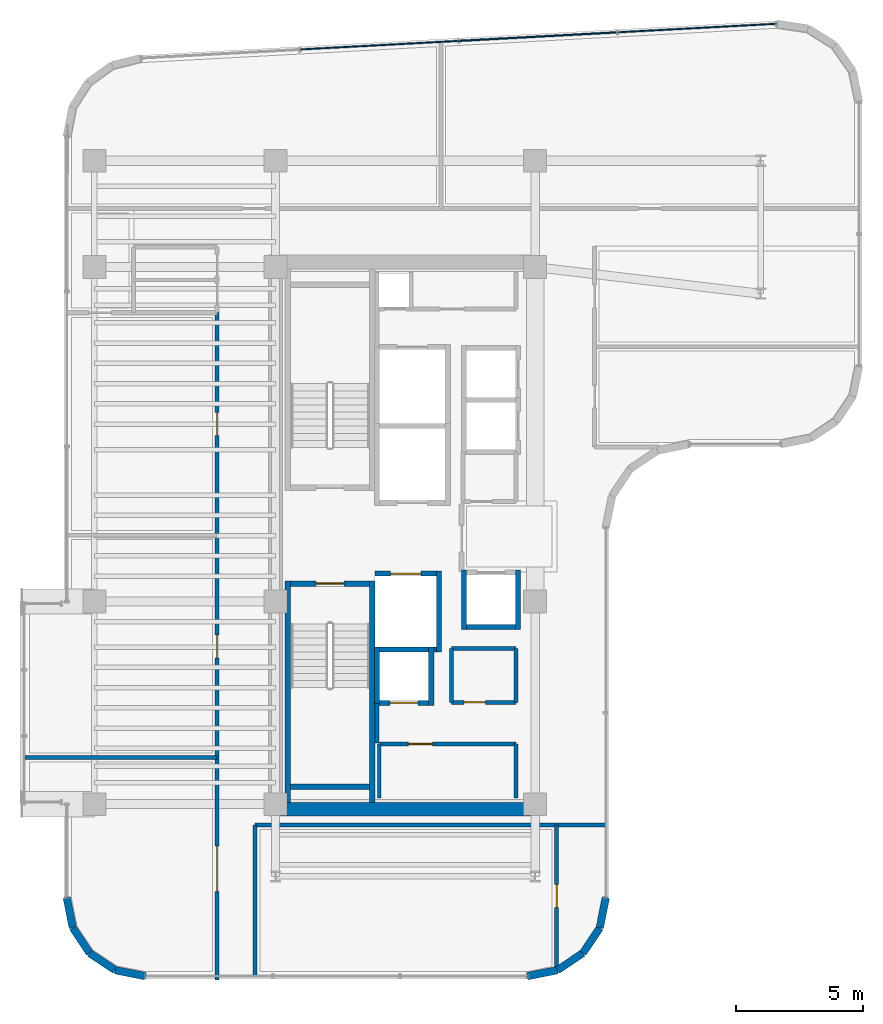
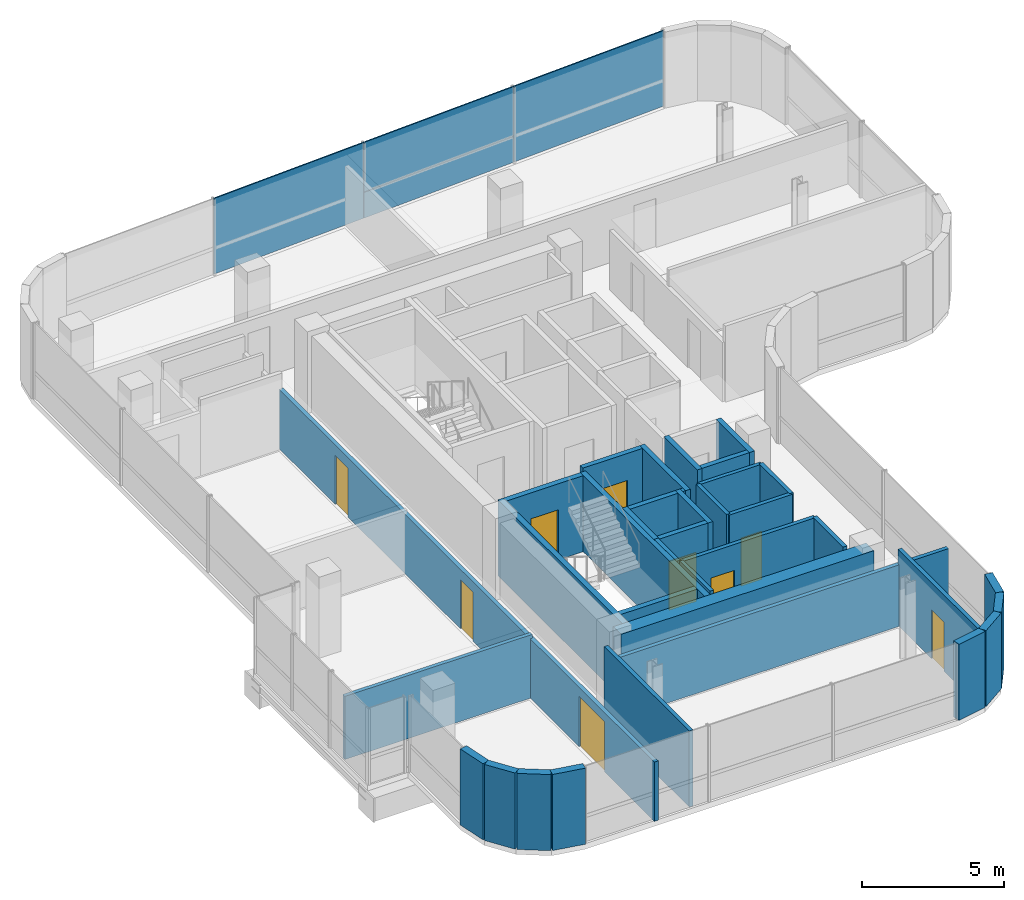
# One storey, part 18 of 22: 35 walls, 9 doors, 4 plates, 9 openings, 1 element without a shape of its own.
"""IFC4 building model written with IfcOpenShell, lengths in metres."""

from ifc_helpers import new_model, si_unit, direction, frame, frame_2d, origin, origin_2d, place, context, subcontext, project, spatial, rectangle, extrude, source, transform, mapped, material, layer, layer_set, type_object, element, fill, aggregate, save


model = new_model("IFC4")

# Units and contexts
model_context = context("Model", 3, precision=1e-05, world=origin(), true_north=direction((0.0, 1.0)))
body_context = subcontext(model_context, "Body", "Model", "MODEL_VIEW")
ifc_project = project(units=[si_unit("LENGTHUNIT", "METRE"), si_unit("AREAUNIT", "SQUARE_METRE"), si_unit("VOLUMEUNIT", "CUBIC_METRE"), si_unit("PLANEANGLEUNIT", "RADIAN"), si_unit("MASSUNIT", "GRAM", prefix="KILO")], contexts=[model_context])

# Site, building, storey
site_placement = place(None, origin())
site = spatial("IfcSite", under=ifc_project, at=site_placement, CompositionType="ELEMENT")
building_placement = place(site_placement, origin())
building = spatial("IfcBuilding", under=site, at=building_placement, Name="Valdorenza Pilgrim Sanctuary Tower", CompositionType="ELEMENT")
storey_placement = place(building_placement, frame((0.0, 0.0, 233.5)))
storey = spatial("IfcBuildingStorey", under=building, at=storey_placement, Name="L60", CompositionType="ELEMENT", Elevation=233.5)

# Curtain wall, plates
ifc_material_1 = material(Name="Curtain-wall IGU glazing", Category="glass")
curtain_wall_type = type_object("IfcCurtainWallType", Name="CW-SYS-02", PredefinedType="NOTDEFINED", material=ifc_material_1)
curtain_wall_placement = place(storey_placement, origin())
curtain_wall = element("IfcCurtainWall", 1, at=curtain_wall_placement, inside=storey, type_object=curtain_wall_type, Name="L60 Curtain Wall CW-L60-1-6", PredefinedType="NOTDEFINED")
ifc_material_2 = material(Name="Honed travertine limestone", Category="masonry")
ifc_layer_1 = layer(ifc_material_2, 0.050048828125, Name="Honed travertine limestone")
ifc_layer_set_1 = layer_set([ifc_layer_1], Name="Honed travertine limestone")
plate_type_1 = type_object("IfcPlateType", Name="CW-SPN-TRV", PredefinedType="USERDEFINED", material=ifc_layer_set_1)
shared_shape_1 = source(origin(), body_context, "Body", "SweptSolid", [
    extrude(rectangle(XDim=6.2587890625, YDim=0.06005859375, at=origin_2d()), origin(), (0.0, 0.0, 1.0), 1.10009765625),
])
plate_1_placement = place(storey_placement, frame((-12.281982421875, 19.699951171875, 0.010009765625), z_axis=(0.0, 0.0, 1.0), x_axis=(0.998547034311, 0.053887106711, 0.0)))
plate_1 = element("IfcPlate", 2, at=plate_1_placement, type_object=plate_type_1, Name="CW-L60-1-6 Travertine Spandrel 3", ObjectType="SPANDREL", PredefinedType="USERDEFINED", context=body_context, shape_type="MappedRepresentation", body=[
    mapped(shared_shape_1, transform((0.0, 0.0, 0.0), x_axis=(1.0, 0.0, 0.0), y_axis=(0.0, 1.0, 0.0), z_axis=(0.0, 0.0, 1.0), scale=1.0)),
])
ifc_material_3 = material(Name="Ceramic-fritted low-E IGU glazing", Category="glass")
ifc_layer_2 = layer(ifc_material_3, 0.035888671875, Name="Ceramic-fritted low-E IGU glazing")
ifc_layer_set_2 = layer_set([ifc_layer_2], Name="Ceramic-fritted low-E IGU glazing")
plate_type_2 = type_object("IfcPlateType", Name="CW-GLZ-IGU", PredefinedType="USERDEFINED", material=ifc_layer_set_2)
shared_shape_2 = source(origin(), body_context, "Body", "SweptSolid", [
    extrude(rectangle(XDim=6.2587890625, YDim=0.050048828125, at=origin_2d()), origin(), (0.0, 0.0, 1.0), 2.1201171875),
])
plate_2_placement = place(storey_placement, frame((-12.281982421875, 19.699951171875, 1.1298828125), z_axis=(0.0, 0.0, 1.0), x_axis=(0.998547034311, 0.053887106711, 0.0)))
plate_2 = element("IfcPlate", 3, at=plate_2_placement, type_object=plate_type_2, Name="CW-L60-1-6 Facade Panel 3", ObjectType="GLAZING", PredefinedType="USERDEFINED", context=body_context, shape_type="MappedRepresentation", body=[
    mapped(shared_shape_2, transform((0.0, 0.0, 0.0), x_axis=(1.0, 0.0, 0.0), y_axis=(0.0, 1.0, 0.0), z_axis=(0.0, 0.0, 1.0), scale=1.0)),
])
shared_shape_3 = source(origin(), body_context, "Body", "SweptSolid", [
    extrude(rectangle(XDim=6.2587890625, YDim=0.050048828125, at=origin_2d()), origin(), (0.0, 0.0, 1.0), 3.239990234375),
])
plate_3_placement = place(storey_placement, frame((-18.551513671875, 19.36181640625, 0.009765625), z_axis=(0.0, 0.0, 1.0), x_axis=(0.998547034311, 0.053887106711, 0.0)))
plate_3 = element("IfcPlate", 4, at=plate_3_placement, type_object=plate_type_2, Name="CW-L60-1-6 Full-Height Facade Panel 2", ObjectType="GLAZING", PredefinedType="USERDEFINED", context=body_context, shape_type="MappedRepresentation", body=[
    mapped(shared_shape_3, transform((0.0, 0.0, 0.0), x_axis=(1.0, 0.0, 0.0), y_axis=(0.0, 1.0, 0.0), z_axis=(0.0, 0.0, 1.0), scale=1.0)),
])
plate_4_placement = place(storey_placement, frame((-6.012451171875, 20.038330078125, 0.009765625), z_axis=(0.0, 0.0, 1.0), x_axis=(0.998547034311, 0.053887106711, 0.0)))
plate_4 = element("IfcPlate", 5, at=plate_4_placement, type_object=plate_type_2, Name="CW-L60-1-6 Full-Height Facade Panel 4", ObjectType="GLAZING", PredefinedType="USERDEFINED", context=body_context, shape_type="MappedRepresentation", body=[
    mapped(shared_shape_3, transform((0.0, 0.0, 0.0), x_axis=(1.0, 0.0, 0.0), y_axis=(0.0, 1.0, 0.0), z_axis=(0.0, 0.0, 1.0), scale=1.0)),
])
aggregate(curtain_wall, [plate_3, plate_1, plate_2, plate_4])

# Wall
ifc_material_4 = material(Name="Acoustic twin-stud gypsum partition", Category="gypsum")
ifc_layer_3 = layer(ifc_material_4, 0.159912109375, Name="Acoustic twin-stud gypsum partition")
ifc_layer_set_3 = layer_set([ifc_layer_3], Name="Acoustic twin-stud gypsum partition")
wall_type_1 = type_object("IfcWallType", Name="WAL-COR-160", PredefinedType="PARTITIONING", material=ifc_layer_set_3)
wall_1_placement = place(storey_placement, frame((-18.64990234375, -8.179931640625, 0.0), z_axis=(0.0, 0.0, 1.0), x_axis=(0.0, 1.0, 0.0)))
element("IfcWall", 6, at=wall_1_placement, inside=storey, type_object=wall_type_1, Name="L60 Core A South Lift Hall West Wall", PredefinedType="PARTITIONING", context=body_context, shape_type="SweptSolid", body=[
    extrude(rectangle(XDim=1.559814453125, YDim=0.159912109375, at=frame_2d((0.77978515625, 0.0))), origin(), (0.0, 0.0, 1.0), 3.260009765625),
])

# Wall, opening, door
wall_2_placement = place(storey_placement, frame((-18.550048828125, -8.219970703125, 0.0), z_axis=(0.0, 0.0, 1.0), x_axis=(1.0, 0.0, 0.0)))
wall_2 = element("IfcWall", 7, at=wall_2_placement, inside=storey, type_object=wall_type_1, Name="L60 Freed Shaft 1 North Wall", PredefinedType="PARTITIONING", context=body_context, shape_type="SweptSolid", body=[
    extrude(rectangle(XDim=5.400146484375, YDim=0.159912109375, at=frame_2d((2.7001953125, 0.0))), origin(), (0.0, 0.0, 1.0), 3.260009765625),
])
opening_1_placement = place(wall_2_placement, frame((1.14990234375, 0.0, 0.0)))
opening_1 = element("IfcOpeningElement", 8, at=opening_1_placement, cuts=wall_2, Name="Opening DR-UN1", PredefinedType="OPENING", context=body_context, shape_type="SweptSolid", body=[
    extrude(rectangle(XDim=0.949951171875, YDim=2.14990234375, at=frame_2d((0.47509765625, 1.074951171875))), frame((0.0, 0.0947265625, 0.0), z_axis=(0.0, -1.0, 0.0), x_axis=(1.0, 0.0, 0.0)), (0.0, 0.0, 1.0), 0.189697265625),
])
ifc_material_5 = material(Name="Solid-core European oak timber", Category="wood")
door_type_1 = type_object("IfcDoorType", Name="DR-UNIT-950", OperationType="NOTDEFINED", PredefinedType="DOOR", material=ifc_material_5)
door_1_placement = place(opening_1_placement, origin())
door_1 = element("IfcDoor", 9, at=door_1_placement, inside=storey, type_object=door_type_1, Name="L60 Back-of-House Linen Store Door", OperationType="SINGLE_SWING_LEFT", OverallHeight=2.14990234375, OverallWidth=0.949951171875, PredefinedType="DOOR", context=body_context, shape_type="SweptSolid", body=[
    extrude(rectangle(XDim=0.949951171875, YDim=2.14990234375, at=frame_2d((0.47509765625, 1.074951171875))), frame((0.0, 0.02490234375, 0.0), z_axis=(0.0, -1.0, 0.0), x_axis=(1.0, 0.0, 0.0)), (0.0, 0.0, 1.0), 0.050048828125),
])
fill(opening_1, door_1)

# Wall
wall_3_placement = place(storey_placement, frame((-13.14990234375, -10.35009765625, 0.0), z_axis=(0.0, 0.0, 1.0), x_axis=(0.0, 1.0, 0.0)))
element("IfcWall", 10, at=wall_3_placement, inside=storey, type_object=wall_type_1, Name="L60 Freed Shaft 1 East Wall", PredefinedType="PARTITIONING", context=body_context, shape_type="SweptSolid", body=[
    extrude(rectangle(XDim=2.130126953125, YDim=0.159912109375, at=frame_2d((1.06494140625, 0.0))), origin(), (0.0, 0.0, 1.0), 3.260009765625),
])

# Wall, opening, door
wall_4_placement = place(storey_placement, frame((-15.699951171875, -6.580078125, 0.0), z_axis=(0.0, 0.0, 1.0), x_axis=(1.0, 0.0, 0.0)))
wall_4 = element("IfcWall", 11, at=wall_4_placement, inside=storey, type_object=wall_type_1, Name="L60 Freed Shaft 2 South Wall", PredefinedType="PARTITIONING", context=body_context, shape_type="SweptSolid", body=[
    extrude(rectangle(XDim=2.550048828125, YDim=0.159912109375, at=frame_2d((1.27490234375, 0.0))), origin(), (0.0, 0.0, 1.0), 3.260009765625),
])
opening_2_placement = place(wall_4_placement, frame((0.5, 0.0, 0.0)))
opening_2 = element("IfcOpeningElement", 12, at=opening_2_placement, cuts=wall_4, Name="Opening DR-RS1", PredefinedType="OPENING", context=body_context, shape_type="SweptSolid", body=[
    extrude(rectangle(XDim=0.85009765625, YDim=2.050048828125, at=frame_2d((0.425048828125, 1.02490234375))), frame((0.0, 0.0947265625, 0.0), z_axis=(0.0, -1.0, 0.0), x_axis=(1.0, 0.0, 0.0)), (0.0, 0.0, 1.0), 0.189697265625),
])
ifc_material_6 = material(Name="Painted galvanized steel", Category="steel")
door_type_2 = type_object("IfcDoorType", Name="DR-RSR-850", OperationType="NOTDEFINED", PredefinedType="DOOR", material=ifc_material_6)
door_2_placement = place(opening_2_placement, origin())
door_2 = element("IfcDoor", 13, at=door_2_placement, inside=storey, type_object=door_type_2, Name="L60 Guest Tea Pantry Door", OperationType="SINGLE_SWING_RIGHT", OverallHeight=2.050048828125, OverallWidth=0.85009765625, PredefinedType="DOOR", context=body_context, shape_type="SweptSolid", body=[
    extrude(rectangle(XDim=0.85009765625, YDim=2.050048828125, at=frame_2d((0.425048828125, 1.02490234375))), frame((0.0, 0.02490234375, 0.0), z_axis=(0.0, -1.0, 0.0), x_axis=(1.0, 0.0, 0.0)), (0.0, 0.0, 1.0), 0.050048828125),
])
fill(opening_2, door_2)

# Walls
wall_5_placement = place(storey_placement, frame((-13.14990234375, -6.580078125, 0.0), z_axis=(0.0, 0.0, 1.0), x_axis=(0.0, 1.0, 0.0)))
element("IfcWall", 14, at=wall_5_placement, inside=storey, type_object=wall_type_1, Name="L60 Freed Shaft 2 East Wall", PredefinedType="PARTITIONING", context=body_context, shape_type="SweptSolid", body=[
    extrude(rectangle(XDim=2.130126953125, YDim=0.159912109375, at=frame_2d((1.06494140625, 0.0))), origin(), (0.0, 0.0, 1.0), 3.260009765625),
])
wall_6_placement = place(storey_placement, frame((-23.449951171875, -11.419921875, 0.0), z_axis=(0.0, 0.0, 1.0), x_axis=(1.0, 0.0, 0.0)))
element("IfcWall", 15, at=wall_6_placement, inside=storey, type_object=wall_type_1, Name="L60 South-East Pocket North Wall", PredefinedType="PARTITIONING", context=body_context, shape_type="SweptSolid", body=[
    extrude(rectangle(XDim=13.83984375, YDim=0.159912109375, at=frame_2d((6.919921875, 0.0))), origin(), (0.0, 0.0, 1.0), 2.634033203125),
])
wall_7_placement = place(storey_placement, frame((-23.449951171875, -17.389892578125, 0.0), z_axis=(0.0, 0.0, 1.0), x_axis=(0.0, 1.0, 0.0)))
element("IfcWall", 16, at=wall_7_placement, inside=storey, type_object=wall_type_1, Name="L60 South-East Pocket West Wall", PredefinedType="PARTITIONING", context=body_context, shape_type="SweptSolid", body=[
    extrude(rectangle(XDim=5.969970703125, YDim=0.159912109375, at=frame_2d((2.98486328125, 0.0))), origin(), (0.0, 0.0, 1.0), 3.260009765625),
])

# Wall, openings, doors
wall_8_placement = place(storey_placement, frame((-24.949951171875, -17.5400390625, 0.0), z_axis=(0.0, 0.0, 1.0), x_axis=(0.0, 1.0, 0.0)))
wall_8 = element("IfcWall", 17, at=wall_8_placement, inside=storey, type_object=wall_type_1, Name="L60 West Wing Corridor Wall", PredefinedType="PARTITIONING", context=body_context, shape_type="SweptSolid", body=[
    extrude(rectangle(XDim=26.340087890625, YDim=0.159912109375, at=frame_2d((13.169921875, 0.0))), origin(), (0.0, 0.0, 1.0), 2.5439453125),
])
opening_3_placement = place(wall_8_placement, frame((3.489990234375, 0.0, 0.0)))
opening_3 = element("IfcOpeningElement", 18, at=opening_3_placement, cuts=wall_8, Name="Opening DR-HL1", PredefinedType="OPENING", context=body_context, shape_type="SweptSolid", body=[
    extrude(rectangle(XDim=1.800048828125, YDim=2.14990234375, at=frame_2d((0.89990234375, 1.074951171875))), frame((0.0, 0.0947265625, 0.0), z_axis=(0.0, -1.0, 0.0), x_axis=(1.0, 0.0, 0.0)), (0.0, 0.0, 1.0), 0.189697265625),
])
opening_4_placement = place(wall_8_placement, frame((12.719970703125, 0.0, 0.0)))
opening_4 = element("IfcOpeningElement", 19, at=opening_4_placement, cuts=wall_8, Name="Opening DR-RM1", PredefinedType="OPENING", context=body_context, shape_type="SweptSolid", body=[
    extrude(rectangle(XDim=0.89990234375, YDim=2.10009765625, at=frame_2d((0.449951171875, 1.050048828125))), frame((0.0, 0.0947265625, 0.0), z_axis=(0.0, -1.0, 0.0), x_axis=(1.0, 0.0, 0.0)), (0.0, 0.0, 1.0), 0.189697265625),
])
opening_5_placement = place(wall_8_placement, frame((21.5, 0.0, 0.0)))
opening_5 = element("IfcOpeningElement", 20, at=opening_5_placement, cuts=wall_8, Name="Opening DR-RM1", PredefinedType="OPENING", context=body_context, shape_type="SweptSolid", body=[
    extrude(rectangle(XDim=0.89990234375, YDim=2.10009765625, at=frame_2d((0.449951171875, 1.050048828125))), frame((0.0, 0.0947265625, 0.0), z_axis=(0.0, -1.0, 0.0), x_axis=(1.0, 0.0, 0.0)), (0.0, 0.0, 1.0), 0.189697265625),
])
ifc_material_7 = material(Name="Acoustic oak and vision-glass double door", Category="glass")
door_type_3 = type_object("IfcDoorType", Name="DR-HALL-1800", OperationType="NOTDEFINED", PredefinedType="DOOR", material=ifc_material_7)
door_3_placement = place(opening_3_placement, frame((1.800048828125, 0.0, 0.0), z_axis=(0.0, 0.0, 1.0), x_axis=(-1.0, 0.0, 0.0)))
door_3 = element("IfcDoor", 21, at=door_3_placement, inside=storey, type_object=door_type_3, Name="L60 Main Pilgrim Dining Restaurant L60 Door", OperationType="DOUBLE_DOOR_SINGLE_SWING", OverallHeight=2.14990234375, OverallWidth=1.800048828125, PredefinedType="DOOR", context=body_context, shape_type="SweptSolid", body=[
    extrude(rectangle(XDim=1.800048828125, YDim=2.14990234375, at=frame_2d((0.89990234375, 1.074951171875))), frame((0.0, 0.02490234375, 0.0), z_axis=(0.0, -1.0, 0.0), x_axis=(1.0, 0.0, 0.0)), (0.0, 0.0, 1.0), 0.050048828125),
])
fill(opening_3, door_3)
door_type_4 = type_object("IfcDoorType", Name="DR-ROOM-900", OperationType="NOTDEFINED", PredefinedType="DOOR", material=ifc_material_5)
door_4_placement = place(opening_4_placement, origin())
door_4 = element("IfcDoor", 22, at=door_4_placement, inside=storey, type_object=door_type_4, Name="L60 Commercial Refectory Kitchen L60 Door", OperationType="SINGLE_SWING_RIGHT", OverallHeight=2.10009765625, OverallWidth=0.89990234375, PredefinedType="DOOR", context=body_context, shape_type="SweptSolid", body=[
    extrude(rectangle(XDim=0.89990234375, YDim=2.10009765625, at=frame_2d((0.449951171875, 1.050048828125))), frame((0.0, 0.02490234375, 0.0), z_axis=(0.0, -1.0, 0.0), x_axis=(1.0, 0.0, 0.0)), (0.0, 0.0, 1.0), 0.050048828125),
])
fill(opening_4, door_4)
door_5_placement = place(opening_5_placement, frame((0.89990234375, 0.0, 0.0), z_axis=(0.0, 0.0, 1.0), x_axis=(-1.0, 0.0, 0.0)))
door_5 = element("IfcDoor", 23, at=door_5_placement, inside=storey, type_object=door_type_4, Name="L60 Private Banquet Dining Room L60 Door", OperationType="SINGLE_SWING_LEFT", OverallHeight=2.10009765625, OverallWidth=0.89990234375, PredefinedType="DOOR", context=body_context, shape_type="SweptSolid", body=[
    extrude(rectangle(XDim=0.89990234375, YDim=2.10009765625, at=frame_2d((0.449951171875, 1.050048828125))), frame((0.0, 0.02490234375, 0.0), z_axis=(0.0, -1.0, 0.0), x_axis=(1.0, 0.0, 0.0)), (0.0, 0.0, 1.0), 0.050048828125),
])
fill(opening_5, door_5)

# Wall, opening, door
wall_9_placement = place(storey_placement, frame((-11.550048828125, -17.023681640625, 0.0), z_axis=(0.0, 0.0, 1.0), x_axis=(0.0, 1.0, 0.0)))
wall_9 = element("IfcWall", 24, at=wall_9_placement, inside=storey, type_object=wall_type_1, Name="L60 South-East Concourse Wall", PredefinedType="PARTITIONING", context=body_context, shape_type="SweptSolid", body=[
    extrude(rectangle(XDim=5.603759765625, YDim=0.159912109375, at=frame_2d((2.8017578125, 0.0))), origin(), (0.0, 0.0, 1.0), 3.260009765625),
])
opening_6_placement = place(wall_9_placement, frame((2.35205078125, 0.0, 0.0)))
opening_6 = element("IfcOpeningElement", 25, at=opening_6_placement, cuts=wall_9, Name="Opening DR-RM1", PredefinedType="OPENING", context=body_context, shape_type="SweptSolid", body=[
    extrude(rectangle(XDim=0.89990234375, YDim=2.10009765625, at=frame_2d((0.449951171875, 1.050048828125))), frame((0.0, 0.0947265625, 0.0), z_axis=(0.0, -1.0, 0.0), x_axis=(1.0, 0.0, 0.0)), (0.0, 0.0, 1.0), 0.189697265625),
])
door_6_placement = place(opening_6_placement, origin())
door_6 = element("IfcDoor", 26, at=door_6_placement, inside=storey, type_object=door_type_4, Name="L60 South Contemplation Lounge L60 Door", OperationType="SINGLE_SWING_RIGHT", OverallHeight=2.10009765625, OverallWidth=0.89990234375, PredefinedType="DOOR", context=body_context, shape_type="SweptSolid", body=[
    extrude(rectangle(XDim=0.89990234375, YDim=2.10009765625, at=frame_2d((0.449951171875, 1.050048828125))), frame((0.0, 0.02490234375, 0.0), z_axis=(0.0, -1.0, 0.0), x_axis=(1.0, 0.0, 0.0)), (0.0, 0.0, 1.0), 0.050048828125),
])
fill(opening_6, door_6)

# Walls
ifc_material_8 = material(Name="Concrete C50/60", Category="concrete")
ifc_layer_4 = layer(ifc_material_8, 0.550048828125, Name="Concrete C50/60")
ifc_layer_set_4 = layer_set([ifc_layer_4], Name="Concrete C50/60")
wall_type_2 = type_object("IfcWallType", Name="WAL-COR-550", PredefinedType="SHEAR", material=ifc_layer_set_4)
wall_10_placement = place(storey_placement, frame((-22.64990234375, -10.800048828125, 0.0), z_axis=(0.0, 0.0, 1.0), x_axis=(1.0, 0.0, 0.0)))
element("IfcWall", 27, at=wall_10_placement, inside=storey, type_object=wall_type_2, Name="L60 Split Core A Shear Wall S", PredefinedType="SHEAR", context=body_context, shape_type="SweptSolid", body=[
    extrude(rectangle(XDim=10.25, YDim=0.550048828125, at=frame_2d((5.125, 0.0))), origin(), (0.0, 0.0, 1.0), 3.260009765625),
])
ifc_layer_5 = layer(ifc_material_2, 0.300048828125, Name="Honed travertine limestone")
ifc_layer_set_5 = layer_set([ifc_layer_5], Name="Honed travertine limestone")
wall_type_3 = type_object("IfcWallType", Name="WAL-EXT-300", PredefinedType="SOLIDWALL", material=ifc_layer_set_5)
wall_11_placement = place(storey_placement, frame((-9.610107421875, -14.289306640625, 0.0), z_axis=(0.0, 0.0, 1.0), x_axis=(-0.194996050505, -0.980804027463, 0.0)))
element("IfcWall", 28, at=wall_11_placement, inside=storey, type_object=wall_type_3, Name="L60 Rounded Wind-Corner Stone Pier 22", PredefinedType="SOLIDWALL", context=body_context, shape_type="SweptSolid", body=[
    extrude(rectangle(XDim=1.2158203125, YDim=0.300048828125, at=frame_2d((0.60791015625, 0.0))), origin(), (0.0, 0.0, 1.0), 3.260009765625),
])
for number, where, z_axis, x_axis, name in (
    (29, (-9.84716796875, -15.481689453125, 0.0), (0.0, 0.0, 1.0), (-0.555635100982, -0.831426265255, 0.0), "L60 Rounded Wind-Corner Stone Pier 23"),
    (30, (-10.5166015625, -16.4833984375, 0.0), (0.0, 0.0, 1.0), (-0.831426265255, -0.555635100982, 0.0), "L60 Rounded Wind-Corner Stone Pier 24"),
):
    element("IfcWall", number, at=place(storey_placement, frame(where, z_axis=z_axis, x_axis=x_axis)), inside=storey, type_object=wall_type_3, Name=name, PredefinedType="SOLIDWALL", context=body_context, shape_type="SweptSolid", body=[
        extrude(rectangle(XDim=1.204833984375, YDim=0.300048828125, at=frame_2d((0.6025390625, 0.0))), origin(), (0.0, 0.0, 1.0), 3.260009765625),
    ])
for number, where, z_axis, x_axis, name in (
    (31, (-11.518310546875, -17.15283203125, 0.0), (0.0, 0.0, 1.0), (-0.980804027463, -0.194996050505, 0.0), "L60 Rounded Wind-Corner Stone Pier 25"),
    (32, (-27.789306640625, -17.389892578125, 0.0), (0.0, 0.0, 1.0), (-0.980804027463, 0.194996050505, 0.0), "L60 Rounded Wind-Corner Stone Pier 27"),
):
    element("IfcWall", number, at=place(storey_placement, frame(where, z_axis=z_axis, x_axis=x_axis)), inside=storey, type_object=wall_type_3, Name=name, PredefinedType="SOLIDWALL", context=body_context, shape_type="SweptSolid", body=[
        extrude(rectangle(XDim=1.2158203125, YDim=0.300048828125, at=frame_2d((0.60791015625, 0.0))), origin(), (0.0, 0.0, 1.0), 3.260009765625),
    ])
for number, where, z_axis, x_axis, name in (
    (33, (-28.981689453125, -17.15283203125, 0.0), (0.0, 0.0, 1.0), (-0.831426265255, 0.555635100982, 0.0), "L60 Rounded Wind-Corner Stone Pier 28"),
    (34, (-29.9833984375, -16.4833984375, 0.0), (0.0, 0.0, 1.0), (-0.555635100982, 0.831426265255, 0.0), "L60 Rounded Wind-Corner Stone Pier 29"),
):
    element("IfcWall", number, at=place(storey_placement, frame(where, z_axis=z_axis, x_axis=x_axis)), inside=storey, type_object=wall_type_3, Name=name, PredefinedType="SOLIDWALL", context=body_context, shape_type="SweptSolid", body=[
        extrude(rectangle(XDim=1.204833984375, YDim=0.300048828125, at=frame_2d((0.6025390625, 0.0))), origin(), (0.0, 0.0, 1.0), 3.260009765625),
    ])
wall_12_placement = place(storey_placement, frame((-30.65283203125, -15.481689453125, 0.0), z_axis=(0.0, 0.0, 1.0), x_axis=(-0.194996050505, 0.980804027463, 0.0)))
element("IfcWall", 35, at=wall_12_placement, inside=storey, type_object=wall_type_3, Name="L60 Rounded Wind-Corner Stone Pier 30", PredefinedType="SOLIDWALL", context=body_context, shape_type="SweptSolid", body=[
    extrude(rectangle(XDim=1.2158203125, YDim=0.300048828125, at=frame_2d((0.60791015625, 0.0))), origin(), (0.0, 0.0, 1.0), 3.260009765625),
])
ifc_material_9 = material(Name="Autoclaved aerated concrete blockwork", Category="masonry")
ifc_layer_6 = layer(ifc_material_9, 0.199951171875, Name="Autoclaved aerated concrete blockwork")
ifc_layer_set_6 = layer_set([ifc_layer_6], Name="Autoclaved aerated concrete blockwork")
wall_type_4 = type_object("IfcWallType", Name="WAL-SHF-200", PredefinedType="MOVABLE", material=ifc_layer_set_6)
wall_13_placement = place(storey_placement, frame((-16.199951171875, -4.60009765625, 0.0), z_axis=(0.0, 0.0, 1.0), x_axis=(0.0, 1.0, 0.0)))
element("IfcWall", 36, at=wall_13_placement, inside=storey, type_object=wall_type_4, Name="L60 Lift FFL-02 Hoistway Wall East", PredefinedType="MOVABLE", context=body_context, shape_type="SweptSolid", body=[
    extrude(rectangle(XDim=3.2001953125, YDim=0.199951171875, at=frame_2d((1.60009765625, 0.0))), origin(), (0.0, 0.0, 1.0), 3.260009765625),
])
wall_14_placement = place(storey_placement, frame((-18.719970703125, -4.5, 0.0), z_axis=(0.0, 0.0, 1.0), x_axis=(1.0, 0.0, 0.0)))
element("IfcWall", 37, at=wall_14_placement, inside=storey, type_object=wall_type_4, Name="L60 Lift FFL-02 Hoistway Wall South", PredefinedType="MOVABLE", context=body_context, shape_type="SweptSolid", body=[
    extrude(rectangle(XDim=2.419921875, YDim=0.199951171875, at=frame_2d((1.2099609375, 0.0))), origin(), (0.0, 0.0, 1.0), 3.260009765625),
])

# Wall, opening, door
wall_15_placement = place(storey_placement, frame((-18.719970703125, -1.5, 0.0), z_axis=(0.0, 0.0, 1.0), x_axis=(1.0, 0.0, 0.0)))
wall_15 = element("IfcWall", 38, at=wall_15_placement, inside=storey, type_object=wall_type_4, Name="L60 Lift FFL-02 Hoistway Wall North", PredefinedType="MOVABLE", context=body_context, shape_type="SweptSolid", body=[
    extrude(rectangle(XDim=2.419921875, YDim=0.199951171875, at=frame_2d((1.2099609375, 0.0))), origin(), (0.0, 0.0, 1.0), 3.260009765625),
])
opening_7_placement = place(wall_15_placement, frame((0.610107421875, 0.0, 0.0)))
opening_7 = element("IfcOpeningElement", 39, at=opening_7_placement, cuts=wall_15, Name="Opening LD-02", PredefinedType="OPENING", context=body_context, shape_type="SweptSolid", body=[
    extrude(rectangle(XDim=1.199951171875, YDim=2.10009765625, at=frame_2d((0.60009765625, 1.050048828125))), frame((0.0, 0.11474609375, 0.0), z_axis=(0.0, -1.0, 0.0), x_axis=(1.0, 0.0, 0.0)), (0.0, 0.0, 1.0), 0.229736328125),
])
ifc_material_10 = material(Name="Brushed stainless steel Grade 316", Category="steel")
door_type_5 = type_object("IfcDoorType", Name="DR-LFT-1200", OperationType="DOUBLE_DOOR_SLIDING", PredefinedType="DOOR", material=ifc_material_10)
door_7_placement = place(opening_7_placement, origin())
door_7 = element("IfcDoor", 40, at=door_7_placement, inside=storey, type_object=door_type_5, Name="L60 Lift FFL-02 Sliding Landing Door", OperationType="DOUBLE_DOOR_SLIDING", OverallHeight=2.10009765625, OverallWidth=1.199951171875, PredefinedType="DOOR", context=body_context, shape_type="SweptSolid", body=[
    extrude(rectangle(XDim=1.199951171875, YDim=2.10009765625, at=frame_2d((0.60009765625, 1.050048828125))), frame((0.0, 0.02490234375, 0.0), z_axis=(0.0, -1.0, 0.0), x_axis=(1.0, 0.0, 0.0)), (0.0, 0.0, 1.0), 0.050048828125),
])
fill(opening_7, door_7)

# Walls
for number, where, z_axis, x_axis, name in (
    (41, (-18.64990234375, -6.699951171875, 0.0), (0.0, 0.0, 1.0), (0.0, 1.0, 0.0), "L60 Lift PL-11 Hoistway Wall West"),
    (42, (-16.5, -6.699951171875, 0.0), (0.0, 0.0, 1.0), (0.0, 1.0, 0.0), "L60 Lift PL-11 Hoistway Wall East"),
):
    element("IfcWall", number, at=place(storey_placement, frame(where, z_axis=z_axis, x_axis=x_axis)), inside=storey, type_object=wall_type_4, Name=name, PredefinedType="MOVABLE", context=body_context, shape_type="SweptSolid", body=[
        extrude(rectangle(XDim=2.300048828125, YDim=0.199951171875, at=frame_2d((1.14990234375, 0.0))), origin(), (0.0, 0.0, 1.0), 3.260009765625),
    ])

# Wall, opening, door
wall_16_placement = place(storey_placement, frame((-18.550048828125, -6.60009765625, 0.0), z_axis=(0.0, 0.0, 1.0), x_axis=(1.0, 0.0, 0.0)))
wall_16 = element("IfcWall", 43, at=wall_16_placement, inside=storey, type_object=wall_type_4, Name="L60 Lift PL-11 Hoistway Wall South", PredefinedType="MOVABLE", context=body_context, shape_type="SweptSolid", body=[
    extrude(rectangle(XDim=1.949951171875, YDim=0.199951171875, at=frame_2d((0.97509765625, 0.0))), origin(), (0.0, 0.0, 1.0), 3.260009765625),
])
opening_8_placement = place(wall_16_placement, frame((0.425048828125, 0.0, 0.0)))
opening_8 = element("IfcOpeningElement", 44, at=opening_8_placement, cuts=wall_16, Name="Opening LD-01", PredefinedType="OPENING", context=body_context, shape_type="SweptSolid", body=[
    extrude(rectangle(XDim=1.10009765625, YDim=2.10009765625, at=frame_2d((0.550048828125, 1.050048828125))), frame((0.0, 0.11474609375, 0.0), z_axis=(0.0, -1.0, 0.0), x_axis=(1.0, 0.0, 0.0)), (0.0, 0.0, 1.0), 0.229736328125),
])
door_type_6 = type_object("IfcDoorType", Name="DR-LFT-1100", OperationType="DOUBLE_DOOR_SLIDING", PredefinedType="DOOR", material=ifc_material_10)
door_8_placement = place(opening_8_placement, origin())
door_8 = element("IfcDoor", 45, at=door_8_placement, inside=storey, type_object=door_type_6, Name="L60 Lift PL-11 Sliding Landing Door", OperationType="DOUBLE_DOOR_SLIDING", OverallHeight=2.10009765625, OverallWidth=1.10009765625, PredefinedType="DOOR", context=body_context, shape_type="SweptSolid", body=[
    extrude(rectangle(XDim=1.10009765625, YDim=2.10009765625, at=frame_2d((0.550048828125, 1.050048828125))), frame((0.0, 0.02490234375, 0.0), z_axis=(0.0, -1.0, 0.0), x_axis=(1.0, 0.0, 0.0)), (0.0, 0.0, 1.0), 0.050048828125),
])
fill(opening_8, door_8)

# Walls
for number, where, z_axis, x_axis, name in (
    (46, (-15.199951171875, -3.699951171875, 0.0), (0.0, 0.0, 1.0), (0.0, 1.0, 0.0), "L60 Lift PL-12 Hoistway Wall West"),
    (47, (-13.080078125, -3.699951171875, 0.0), (0.0, 0.0, 1.0), (0.0, 1.0, 0.0), "L60 Lift PL-12 Hoistway Wall East"),
):
    element("IfcWall", number, at=place(storey_placement, frame(where, z_axis=z_axis, x_axis=x_axis)), inside=storey, type_object=wall_type_4, Name=name, PredefinedType="MOVABLE", context=body_context, shape_type="SweptSolid", body=[
        extrude(rectangle(XDim=2.349853515625, YDim=0.199951171875, at=frame_2d((1.1748046875, 0.0))), origin(), (0.0, 0.0, 1.0), 3.260009765625),
    ])
wall_17_placement = place(storey_placement, frame((-15.10009765625, -3.60009765625, 0.0), z_axis=(0.0, 0.0, 1.0), x_axis=(1.0, 0.0, 0.0)))
element("IfcWall", 48, at=wall_17_placement, inside=storey, type_object=wall_type_4, Name="L60 Lift PL-12 Hoistway Wall South", PredefinedType="MOVABLE", context=body_context, shape_type="SweptSolid", body=[
    extrude(rectangle(XDim=1.920166015625, YDim=0.199951171875, at=frame_2d((0.9599609375, 0.0))), origin(), (0.0, 0.0, 1.0), 3.260009765625),
])
ifc_material_11 = material(Name="Concrete C40/50", Category="concrete")
ifc_layer_7 = layer(ifc_material_11, 0.219970703125, Name="Concrete C40/50")
ifc_layer_set_7 = layer_set([ifc_layer_7], Name="Concrete C40/50")
wall_type_5 = type_object("IfcWallType", Name="WAL-STR-SHF-220", PredefinedType="SHEAR", material=ifc_layer_set_7)
for number, where, z_axis, x_axis, name in (
    (49, (-22.159912109375, -10.52490234375, 0.0), (0.0, 0.0, 1.0), (0.0, 1.0, 0.0), "L60 ST-A2 Structural Stairwell Wall W"),
    (50, (-18.830078125, -10.52490234375, 0.0), (0.0, 0.0, 1.0), (0.0, 1.0, 0.0), "L60 ST-A2 Structural Stairwell Wall E"),
):
    element("IfcWall", number, at=place(storey_placement, frame(where, z_axis=z_axis, x_axis=x_axis)), inside=storey, type_object=wall_type_5, Name=name, PredefinedType="SHEAR", context=body_context, shape_type="SweptSolid", body=[
        extrude(rectangle(XDim=8.744873046875, YDim=0.219970703125, at=frame_2d((4.37255859375, 0.0))), origin(), (0.0, 0.0, 1.0), 3.260009765625),
    ])
wall_18_placement = place(storey_placement, frame((-22.050048828125, -9.909912109375, 0.0), z_axis=(0.0, 0.0, 1.0), x_axis=(1.0, 0.0, 0.0)))
element("IfcWall", 51, at=wall_18_placement, inside=storey, type_object=wall_type_5, Name="L60 ST-A2 Structural Stairwell Wall S", PredefinedType="SHEAR", context=body_context, shape_type="SweptSolid", body=[
    extrude(rectangle(XDim=3.110107421875, YDim=0.219970703125, at=frame_2d((1.55517578125, 0.0))), origin(), (0.0, 0.0, 1.0), 3.260009765625),
])

# Wall, opening, door
wall_19_placement = place(storey_placement, frame((-22.050048828125, -1.889892578125, 0.0), z_axis=(0.0, 0.0, 1.0), x_axis=(1.0, 0.0, 0.0)))
wall_19 = element("IfcWall", 52, at=wall_19_placement, inside=storey, type_object=wall_type_5, Name="L60 ST-A2 Structural Stairwell Wall N", PredefinedType="SHEAR", context=body_context, shape_type="SweptSolid", body=[
    extrude(rectangle(XDim=3.110107421875, YDim=0.219970703125, at=frame_2d((1.55517578125, 0.0))), origin(), (0.0, 0.0, 1.0), 3.260009765625),
])
opening_9_placement = place(wall_19_placement, frame((1.0, 0.0, 0.0)))
opening_9 = element("IfcOpeningElement", 53, at=opening_9_placement, cuts=wall_19, Name="Opening DR-ST1", PredefinedType="OPENING", context=body_context, shape_type="SweptSolid", body=[
    extrude(rectangle(XDim=1.10009765625, YDim=2.14990234375, at=frame_2d((0.550048828125, 1.074951171875))), frame((0.0, 0.125, 0.0), z_axis=(0.0, -1.0, 0.0), x_axis=(1.0, 0.0, 0.0)), (0.0, 0.0, 1.0), 0.249755859375),
])
door_type_7 = type_object("IfcDoorType", Name="DR-STAIR-1100", OperationType="NOTDEFINED", PredefinedType="DOOR", material=ifc_material_6)
door_9_placement = place(opening_9_placement, origin())
door_9 = element("IfcDoor", 54, at=door_9_placement, inside=storey, type_object=door_type_7, Name="L60 Exit Stair ST-A2 Door", OperationType="SINGLE_SWING_RIGHT", OverallHeight=2.14990234375, OverallWidth=1.10009765625, PredefinedType="DOOR", context=body_context, shape_type="SweptSolid", body=[
    extrude(rectangle(XDim=1.10009765625, YDim=2.14990234375, at=frame_2d((0.550048828125, 1.074951171875))), frame((0.0, 0.02490234375, 0.0), z_axis=(0.0, -1.0, 0.0), x_axis=(1.0, 0.0, 0.0)), (0.0, 0.0, 1.0), 0.050048828125),
])
fill(opening_9, door_9)

# Walls
ifc_layer_8 = layer(ifc_material_4, 0.14990234375, Name="Acoustic twin-stud gypsum partition")
ifc_layer_set_8 = layer_set([ifc_layer_8], Name="Acoustic twin-stud gypsum partition")
wall_type_6 = type_object("IfcWallType", Name="WAL-UNT-150", PredefinedType="PARTITIONING", material=ifc_layer_set_8)
for number, where, z_axis, x_axis, name in (
    (55, (-18.550048828125, -10.35009765625, 0.0), (0.0, 0.0, 1.0), (0.0, 1.0, 0.0), "L60 Freed Shaft 1 West Wall"),
    (56, (-15.699951171875, -6.580078125, 0.0), (0.0, 0.0, 1.0), (0.0, 1.0, 0.0), "L60 Freed Shaft 2 West Wall"),
):
    element("IfcWall", number, at=place(storey_placement, frame(where, z_axis=z_axis, x_axis=x_axis)), inside=storey, type_object=wall_type_6, Name=name, PredefinedType="PARTITIONING", context=body_context, shape_type="SweptSolid", body=[
        extrude(rectangle(XDim=2.130126953125, YDim=0.14990234375, at=frame_2d((1.06494140625, 0.0))), origin(), (0.0, 0.0, 1.0), 3.260009765625),
    ])
wall_20_placement = place(storey_placement, frame((-15.699951171875, -4.449951171875, 0.0), z_axis=(0.0, 0.0, 1.0), x_axis=(1.0, 0.0, 0.0)))
element("IfcWall", 57, at=wall_20_placement, inside=storey, type_object=wall_type_6, Name="L60 Freed Shaft 2 North Wall", PredefinedType="PARTITIONING", context=body_context, shape_type="SweptSolid", body=[
    extrude(rectangle(XDim=2.550048828125, YDim=0.14990234375, at=frame_2d((1.27490234375, 0.0))), origin(), (0.0, 0.0, 1.0), 3.260009765625),
])
wall_21_placement = place(storey_placement, frame((-32.5400390625, -8.760009765625, 0.0), z_axis=(0.0, 0.0, 1.0), x_axis=(1.0, 0.0, 0.0)))
element("IfcWall", 58, at=wall_21_placement, inside=storey, type_object=wall_type_6, Name="L60 Commercial Refectory Kitchen L60 Demising Wall", PredefinedType="PARTITIONING", context=body_context, shape_type="SweptSolid", body=[
    extrude(rectangle(XDim=7.590087890625, YDim=0.14990234375, at=frame_2d((3.794921875, 0.0))), origin(), (0.0, 0.0, 1.0), 2.7060546875),
])

save(model, "model.ifc")
